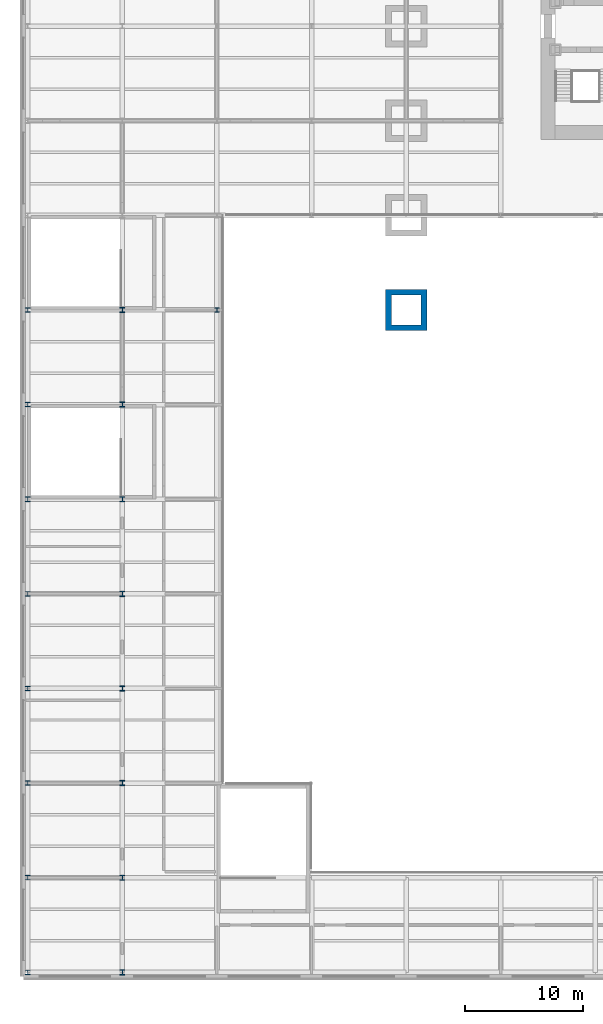
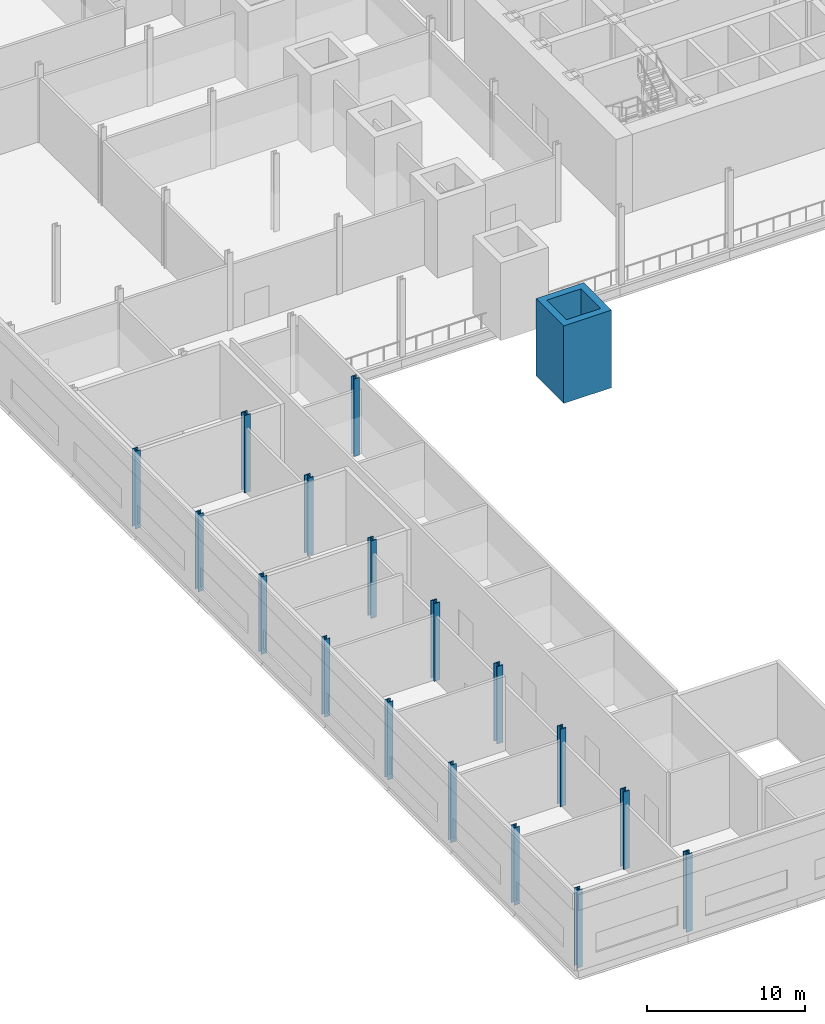
# One storey, part 1 of 21: 18 columns.
"""IFC4 building model written with IfcOpenShell, lengths in metres."""

from ifc_helpers import new_model, si_unit, direction, frame, origin, origin_2d, place, context, subcontext, project, spatial, hollow_rectangle, i_section, extrude, material, material_profile, profile_set, type_object, element, save


model = new_model("IFC4")

# Units and contexts
model_context = context("Model", 3, precision=1e-05, world=origin(), true_north=direction((0.0, 1.0)))
body_context = subcontext(model_context, "Body", "Model", "MODEL_VIEW")
ifc_project = project(units=[si_unit("LENGTHUNIT", "METRE"), si_unit("AREAUNIT", "SQUARE_METRE"), si_unit("VOLUMEUNIT", "CUBIC_METRE"), si_unit("PLANEANGLEUNIT", "RADIAN"), si_unit("MASSUNIT", "GRAM", prefix="KILO")], contexts=[model_context])

# Site, building, storey
site_placement = place(None, origin())
site = spatial("IfcSite", under=ifc_project, at=site_placement, CompositionType="ELEMENT")
building_placement = place(site_placement, origin())
building = spatial("IfcBuilding", under=site, at=building_placement, Name="Daluyong Arena Tower", CompositionType="ELEMENT")
storey_placement = place(building_placement, frame((0.0, 0.0, 19.89990234375)))
storey = spatial("IfcBuildingStorey", under=building, at=storey_placement, Name="L04", CompositionType="ELEMENT", Elevation=19.89990234375)

# Columns
ifc_material_1 = material(Name="Steel ASTM A913 Grade 65", Category="steel")
ifc_material_profile_1 = material_profile(ifc_material_1, i_section(OverallWidth=0.419189453125, OverallDepth=0.45458984375, WebThickness=0.042236328125, FlangeThickness=0.067626953125, at=origin_2d()))
ifc_profile_set_1 = profile_set([ifc_material_profile_1], Name="Steel ASTM A913 Grade 65")
column_type_1 = type_object("IfcColumnType", Name="Arena roof column W14X370", PredefinedType="COLUMN", material=ifc_profile_set_1)
for number, where, z_axis, x_axis, name in (
    (1, (8.0, 0.0, 0.0), (0.0, 0.0, 1.0), (1.0, 0.0, 0.0), "arena roof column AC1"),
    (2, (8.0, 8.0, 0.0), (0.0, 0.0, 1.0), (1.0, 0.0, 0.0), "arena roof column AC1"),
    (3, (8.0, 16.0, 0.0), (0.0, 0.0, 1.0), (1.0, 0.0, 0.0), "arena roof column AC1"),
    (4, (8.0, 24.0, 0.0), (0.0, 0.0, 1.0), (1.0, 0.0, 0.0), "arena roof column AC1"),
    (5, (8.0, 32.0, 0.0), (0.0, 0.0, 1.0), (1.0, 0.0, 0.0), "arena roof column AC1"),
    (6, (8.0, 40.0, 0.0), (0.0, 0.0, 1.0), (1.0, 0.0, 0.0), "arena roof column AC1"),
    (7, (8.0, 48.0, 0.0), (0.0, 0.0, 1.0), (1.0, 0.0, 0.0), "arena roof column AC1"),
    (8, (8.0, 56.0, 0.0), (0.0, 0.0, 1.0), (1.0, 0.0, 0.0), "arena roof column AC1"),
):
    element("IfcColumn", number, at=place(storey_placement, frame(where, z_axis=z_axis, x_axis=x_axis)), inside=storey, type_object=column_type_1, Name=name, PredefinedType="COLUMN", context=body_context, shape_type="SweptSolid", body=[
        extrude(i_section(OverallWidth=0.419189453125, OverallDepth=0.45458984375, WebThickness=0.042236328125, FlangeThickness=0.067626953125, at=origin_2d()), origin(), (0.0, 0.0, 1.0), 6.0),
    ])
ifc_material_2 = material(Name="Steel ASTM A992 Grade 50", Category="steel")
ifc_material_profile_2 = material_profile(ifc_material_2, i_section(OverallWidth=0.398681640625, OverallDepth=0.385986328125, WebThickness=0.02099609375, FlangeThickness=0.033203125, at=origin_2d()))
ifc_profile_set_2 = profile_set([ifc_material_profile_2], Name="Steel ASTM A992 Grade 50")
column_type_2 = type_object("IfcColumnType", Name="Podium column W14X176", PredefinedType="COLUMN", material=ifc_profile_set_2)
for number, where, z_axis, x_axis, name in (
    (9, (0.0, 0.0, 0.0), (0.0, 0.0, 1.0), (1.0, 0.0, 0.0), "podium column PC3"),
    (10, (0.0, 8.0, 0.0), (0.0, 0.0, 1.0), (1.0, 0.0, 0.0), "podium column PC3"),
    (11, (0.0, 16.0, 0.0), (0.0, 0.0, 1.0), (1.0, 0.0, 0.0), "podium column PC3"),
    (12, (0.0, 24.0, 0.0), (0.0, 0.0, 1.0), (1.0, 0.0, 0.0), "podium column PC3"),
    (13, (0.0, 32.0, 0.0), (0.0, 0.0, 1.0), (1.0, 0.0, 0.0), "podium column PC3"),
    (14, (0.0, 40.0, 0.0), (0.0, 0.0, 1.0), (1.0, 0.0, 0.0), "podium column PC3"),
    (15, (0.0, 48.0, 0.0), (0.0, 0.0, 1.0), (1.0, 0.0, 0.0), "podium column PC3"),
    (16, (0.0, 56.0, 0.0), (0.0, 0.0, 1.0), (1.0, 0.0, 0.0), "podium column PC3"),
    (17, (16.0, 56.0, 0.0), (0.0, 0.0, 1.0), (1.0, 0.0, 0.0), "podium column PC3"),
):
    element("IfcColumn", number, at=place(storey_placement, frame(where, z_axis=z_axis, x_axis=x_axis)), inside=storey, type_object=column_type_2, Name=name, PredefinedType="COLUMN", context=body_context, shape_type="SweptSolid", body=[
        extrude(i_section(OverallWidth=0.398681640625, OverallDepth=0.385986328125, WebThickness=0.02099609375, FlangeThickness=0.033203125, at=origin_2d()), origin(), (0.0, 0.0, 1.0), 6.0),
    ])
ifc_material_3 = material(Name="Steel ASTM A36", Category="steel")
ifc_material_profile_3 = material_profile(ifc_material_3, hollow_rectangle(XDim=3.5, YDim=3.5, WallThickness=0.5, at=origin_2d()))
ifc_profile_set_3 = profile_set([ifc_material_profile_3], Name="Steel ASTM A36")
column_type_3 = type_object("IfcColumnType", Name="Podium megacolumn BX3500X500", PredefinedType="COLUMN", material=ifc_profile_set_3)
column_placement = place(storey_placement, frame((32.0, 56.0, 0.0), z_axis=(0.0, 0.0, 1.0), x_axis=(1.0, 0.0, 0.0)))
element("IfcColumn", 18, at=column_placement, inside=storey, type_object=column_type_3, Name="podium megacolumn MC1", PredefinedType="COLUMN", context=body_context, shape_type="SweptSolid", body=[
    extrude(hollow_rectangle(XDim=3.5, YDim=3.5, WallThickness=0.5, at=origin_2d()), origin(), (0.0, 0.0, 1.0), 6.0),
])

save(model, "model.ifc")
